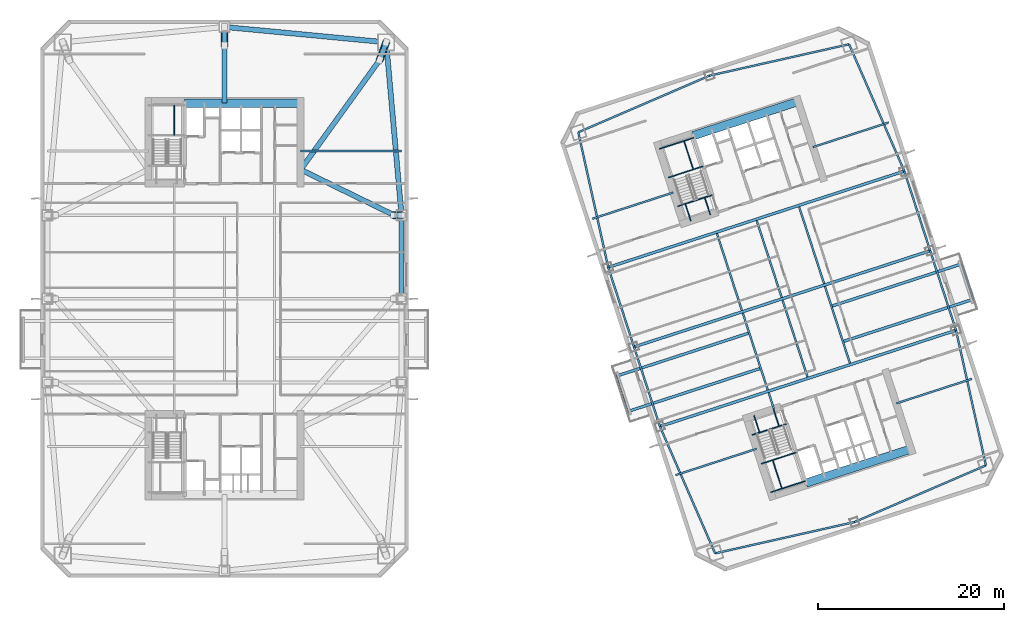
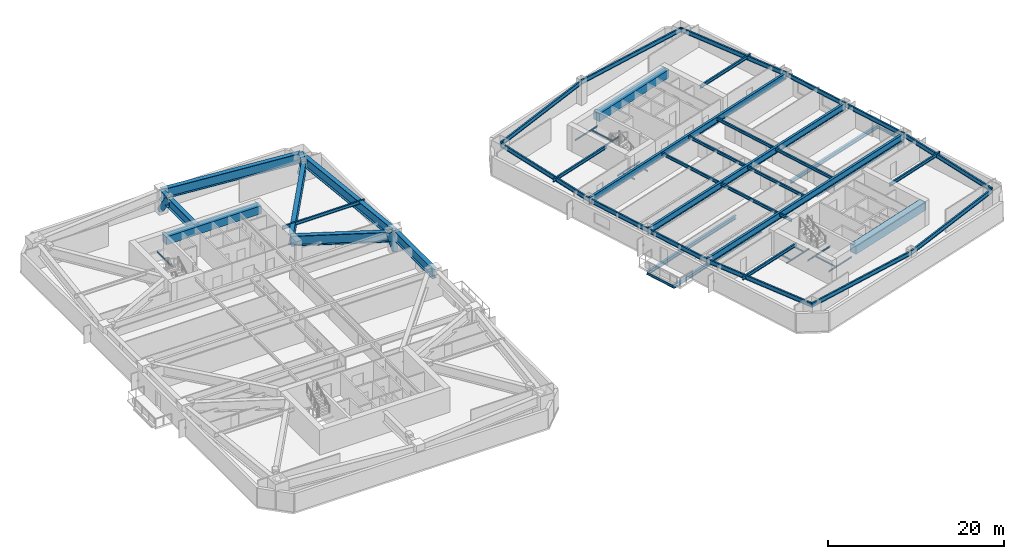
# One storey, part 4 of 19: 58 beams, 3 members.
"""IFC4 building model written with IfcOpenShell, lengths in metres."""

from ifc_helpers import new_model, si_unit, direction, frame, origin, origin_2d, place, context, subcontext, project, spatial, rectangle, hollow_circle, i_section, extrude, material, material_profile, profile_set, type_object, element, save


model = new_model("IFC4")

# Units and contexts
model_context = context("Model", 3, precision=1e-05, world=origin(), true_north=direction((0.0, 1.0)))
body_context = subcontext(model_context, "Body", "Model", "MODEL_VIEW")
ifc_project = project(units=[si_unit("LENGTHUNIT", "METRE"), si_unit("AREAUNIT", "SQUARE_METRE"), si_unit("VOLUMEUNIT", "CUBIC_METRE"), si_unit("PLANEANGLEUNIT", "RADIAN"), si_unit("MASSUNIT", "GRAM", prefix="KILO")], contexts=[model_context])

# Site, building, storey
site_placement = place(None, origin())
site = spatial("IfcSite", under=ifc_project, at=site_placement, CompositionType="ELEMENT")
building_placement = place(site_placement, origin())
building = spatial("IfcBuilding", under=site, at=building_placement, Name="Qiaolan Cultural Towers", CompositionType="ELEMENT")
storey_placement = place(building_placement, frame((0.0, 0.0, 88.550048828125)))
storey = spatial("IfcBuildingStorey", under=building, at=storey_placement, Name="L22", CompositionType="ELEMENT", Elevation=88.550048828125)

# Beams
ifc_material_1 = material(Name="Steel Q420GJB", Category="steel")
ifc_material_profile_1 = material_profile(ifc_material_1, i_section(OverallWidth=0.550048828125, OverallDepth=1.39990234375, WebThickness=0.031982421875, FlangeThickness=0.050048828125, at=origin_2d()), Name="BH1400x550x32x50")
ifc_profile_set_1 = profile_set([ifc_material_profile_1], Name="Steel Q420GJB")
beam_type_1 = type_object("IfcBeamType", Name="BM-BH1400x550x32x50", PredefinedType="BEAM", material=ifc_profile_set_1)
beam_1_placement = place(storey_placement, frame((47.39990234375, 61.60009765625, 2.469970703125), z_axis=(-0.342892389038, -0.939374690706, 0.0), x_axis=(0.939374690706, -0.342892389038, 0.0)))
element("IfcBeam", 1, at=beam_1_placement, inside=storey, type_object=beam_type_1, Name="L22 T1 Setback Transfer Girder MC-NE-A", PredefinedType="BEAM", context=body_context, shape_type="SweptSolid", body=[
    extrude(i_section(OverallWidth=0.550048828125, OverallDepth=1.39990234375, WebThickness=0.031982421875, FlangeThickness=0.050048828125, at=origin_2d()), origin(), (0.0, 0.0, 1.0), 2.01220703125),
])
beam_2_placement = place(storey_placement, frame((46.7099609375, 59.7099609375, 2.469970703125), z_axis=(-0.584610869257, -0.811313830491, 0.0), x_axis=(0.811313830491, -0.584610869257, 0.0)))
element("IfcBeam", 2, at=beam_2_placement, inside=storey, type_object=beam_type_1, Name="L22 T1 Setback Transfer Girder MC-NE-B", PredefinedType="BEAM", context=body_context, shape_type="SweptSolid", body=[
    extrude(i_section(OverallWidth=0.550048828125, OverallDepth=1.39990234375, WebThickness=0.031982421875, FlangeThickness=0.050048828125, at=origin_2d()), origin(), (0.0, 0.0, 1.0), 14.556640625),
])
beam_3_placement = place(storey_placement, frame((49.050048828125, 43.0, 2.469970703125), z_axis=(-1.0, 0.0, 0.0), x_axis=(0.0, -1.0, 0.0)))
element("IfcBeam", 3, at=beam_3_placement, inside=storey, type_object=beam_type_1, Name="L22 T1 Setback Transfer Girder PC-E3-A", PredefinedType="BEAM", context=body_context, shape_type="SweptSolid", body=[
    extrude(i_section(OverallWidth=0.550048828125, OverallDepth=1.39990234375, WebThickness=0.031982421875, FlangeThickness=0.050048828125, at=origin_2d()), origin(), (0.0, 0.0, 1.0), 0.800048828125),
])
beam_4_placement = place(storey_placement, frame((48.25, 43.0, 2.469970703125), z_axis=(-0.898858664648, 0.43823863475, 0.0), x_axis=(-0.43823863475, -0.898858664648, 0.0)))
element("IfcBeam", 4, at=beam_4_placement, inside=storey, type_object=beam_type_1, Name="L22 T1 Setback Transfer Girder PC-E3-B", PredefinedType="BEAM", context=body_context, shape_type="SweptSolid", body=[
    extrude(i_section(OverallWidth=0.550048828125, OverallDepth=1.39990234375, WebThickness=0.031982421875, FlangeThickness=0.050048828125, at=origin_2d()), origin(), (0.0, 0.0, 1.0), 11.180908203125),
])
beam_5_placement = place(storey_placement, frame((30.0, 63.25, 2.469970703125), z_axis=(0.0, -1.0, 0.0), x_axis=(1.0, 0.0, 0.0)))
element("IfcBeam", 5, at=beam_5_placement, inside=storey, type_object=beam_type_1, Name="L22 T1 Setback Transfer Girder PC-N0-A", PredefinedType="BEAM", context=body_context, shape_type="SweptSolid", body=[
    extrude(i_section(OverallWidth=0.550048828125, OverallDepth=1.39990234375, WebThickness=0.031982421875, FlangeThickness=0.050048828125, at=origin_2d()), origin(), (0.0, 0.0, 1.0), 2.0),
])
beam_6_placement = place(storey_placement, frame((30.0, 61.25, 2.469970703125), z_axis=(0.0, -1.0, 0.0), x_axis=(1.0, 0.0, 0.0)))
element("IfcBeam", 6, at=beam_6_placement, inside=storey, type_object=beam_type_1, Name="L22 T1 Setback Transfer Girder PC-N0-B", PredefinedType="BEAM", context=body_context, shape_type="SweptSolid", body=[
    extrude(i_section(OverallWidth=0.550048828125, OverallDepth=1.39990234375, WebThickness=0.031982421875, FlangeThickness=0.050048828125, at=origin_2d()), origin(), (0.0, 0.0, 1.0), 6.199951171875),
])
beam_7_placement = place(storey_placement, frame((49.050048828125, 34.0, 2.469970703125), z_axis=(0.0, 1.0, 0.0), x_axis=(-1.0, 0.0, 0.0)))
element("IfcBeam", 7, at=beam_7_placement, inside=storey, type_object=beam_type_1, Name="L22 T1 Perimeter Spandrel Beam 5", PredefinedType="BEAM", context=body_context, shape_type="SweptSolid", body=[
    extrude(i_section(OverallWidth=0.550048828125, OverallDepth=1.39990234375, WebThickness=0.031982421875, FlangeThickness=0.050048828125, at=origin_2d()), origin(), (0.0, 0.0, 1.0), 9.0),
])
beam_8_placement = place(storey_placement, frame((49.050048828125, 43.0, 2.469970703125), z_axis=(-0.08837000091, 0.996087718496, 0.0), x_axis=(-0.996087718496, -0.08837000091, 0.0)))
element("IfcBeam", 8, at=beam_8_placement, inside=storey, type_object=beam_type_1, Name="L22 T1 Perimeter Spandrel Beam 6", PredefinedType="BEAM", context=body_context, shape_type="SweptSolid", body=[
    extrude(i_section(OverallWidth=0.550048828125, OverallDepth=1.39990234375, WebThickness=0.031982421875, FlangeThickness=0.050048828125, at=origin_2d()), origin(), (0.0, 0.0, 1.0), 18.673095703125),
])
beam_9_placement = place(storey_placement, frame((47.39990234375, 61.60009765625, 2.469970703125), z_axis=(-0.995534437156, 0.094399070104, 0.0), x_axis=(-0.094399070104, -0.995534437156, 0.0)))
element("IfcBeam", 9, at=beam_9_placement, inside=storey, type_object=beam_type_1, Name="L22 T1 Perimeter Spandrel Beam 7", PredefinedType="BEAM", context=body_context, shape_type="SweptSolid", body=[
    extrude(i_section(OverallWidth=0.550048828125, OverallDepth=1.39990234375, WebThickness=0.031982421875, FlangeThickness=0.050048828125, at=origin_2d()), origin(), (0.0, 0.0, 1.0), 17.47802734375),
])
ifc_material_2 = material(Name="Steel Q355B", Category="steel")
ifc_material_profile_2 = material_profile(ifc_material_2, i_section(OverallWidth=0.300048828125, OverallDepth=0.488037109375, WebThickness=0.010986328125, FlangeThickness=0.01806640625, at=origin_2d()), Name="HM488x300x11x18")
ifc_profile_set_2 = profile_set([ifc_material_profile_2], Name="Steel Q355B")
beam_type_2 = type_object("IfcBeamType", Name="BM-HM488x300x11x18", PredefinedType="BEAM", material=ifc_profile_set_2)
for number, where, z_axis, x_axis, name in (
    (10, (87.697998046875, 26.522705078125, -0.524169921875), (-0.951058384903, -0.309011243331, 0.0), (0.309011243331, -0.951058384903, 0.0), "L22 T2 Tree Balcony Back-Spanned Bracket Beam"),
    (11, (86.4619140625, 30.326904296875, -0.524169921875), (-0.951058384903, -0.309011243331, 0.0), (0.309011243331, -0.951058384903, 0.0), "L22 T2 Tree Balcony Back-Spanned Bracket Beam"),
):
    element("IfcBeam", number, at=place(storey_placement, frame(where, z_axis=z_axis, x_axis=x_axis)), inside=storey, type_object=beam_type_2, Name=name, PredefinedType="BEAM", context=body_context, shape_type="SweptSolid", body=[
        extrude(i_section(OverallWidth=0.300048828125, OverallDepth=0.488037109375, WebThickness=0.010986328125, FlangeThickness=0.01806640625, at=origin_2d()), origin(), (0.0, 0.0, 1.0), 15.050048828125),
    ])
for number, where, z_axis, x_axis, name in (
    (12, (96.542724609375, 29.396484375, -0.524169921875), (0.951054379921, 0.309023569382, 0.0), (-0.309023569382, 0.951054379921, 0.0), "L22 T2 Tree Balcony Back-Spanned Bracket Beam"),
    (13, (95.306640625, 33.20068359375, -0.524169921875), (0.951054379921, 0.309023569382, 0.0), (-0.309023569382, 0.951054379921, 0.0), "L22 T2 Tree Balcony Back-Spanned Bracket Beam"),
):
    element("IfcBeam", number, at=place(storey_placement, frame(where, z_axis=z_axis, x_axis=x_axis)), inside=storey, type_object=beam_type_2, Name=name, PredefinedType="BEAM", context=body_context, shape_type="SweptSolid", body=[
        extrude(i_section(OverallWidth=0.300048828125, OverallDepth=0.488037109375, WebThickness=0.010986328125, FlangeThickness=0.01806640625, at=origin_2d()), origin(), (0.0, 0.0, 1.0), 14.75),
    ])
ifc_material_3 = material(Name="Steel Q355B", Category="steel")
ifc_material_profile_3 = material_profile(ifc_material_3, i_section(OverallWidth=0.300048828125, OverallDepth=0.89990234375, WebThickness=0.01611328125, FlangeThickness=0.028076171875, at=origin_2d()), Name="HN900x300x16x28")
ifc_profile_set_3 = profile_set([ifc_material_profile_3], Name="Steel Q355B")
beam_type_3 = type_object("IfcBeamType", Name="BM-HN900x300x16x28", PredefinedType="BEAM", material=ifc_profile_set_3)
for number, where, z_axis, x_axis, name in (
    (14, (76.85107421875, 20.264404296875, 2.719970703125), (0.951056559899, 0.309016860175, 0.0), (-0.309016860175, 0.951056559899, 0.0), "L22 T2 Primary Transverse Girder V1"),
    (15, (74.06982421875, 28.823974609375, 2.719970703125), (0.951056559899, 0.309016860175, 0.0), (-0.309016860175, 0.951056559899, 0.0), "L22 T2 Primary Transverse Girder V2"),
    (16, (71.28857421875, 37.383544921875, 2.719970703125), (0.951056559899, 0.309016860175, 0.0), (-0.309016860175, 0.951056559899, 0.0), "L22 T2 Primary Transverse Girder V3"),
):
    element("IfcBeam", number, at=place(storey_placement, frame(where, z_axis=z_axis, x_axis=x_axis)), inside=storey, type_object=beam_type_3, Name=name, PredefinedType="BEAM", context=body_context, shape_type="SweptSolid", body=[
        extrude(i_section(OverallWidth=0.300048828125, OverallDepth=0.89990234375, WebThickness=0.01611328125, FlangeThickness=0.028076171875, at=origin_2d()), origin(), (0.0, 0.0, 1.0), 33.5),
    ])
ifc_material_4 = material(Name="Steel Q355B", Category="steel")
ifc_material_profile_4 = material_profile(ifc_material_4, i_section(OverallWidth=0.175048828125, OverallDepth=0.35009765625, WebThickness=0.007080078125, FlangeThickness=0.010986328125, at=origin_2d()), Name="HN350x175x7x11")
ifc_profile_set_4 = profile_set([ifc_material_profile_4], Name="Steel Q355B")
beam_type_4 = type_object("IfcBeamType", Name="BM-JST-HN350x175x7x11", PredefinedType="JOIST", material=ifc_profile_set_4)
for number, where, z_axis, x_axis, name in (
    (17, (73.384521484375, 21.8720703125, -0.524169921875), (-0.309022586479, 0.951054699292, 0.0), (-0.951054699292, -0.309022586479, 0.0), "L22 T2 Tree Balcony Outer Edge Beam"),
    (18, (110.57080078125, 33.95458984375, -0.524169921875), (-0.309022586479, 0.951054699292, 0.0), (-0.951054699292, -0.309022586479, 0.0), "L22 T2 Tree Balcony Outer Edge Beam"),
):
    element("IfcBeam", number, at=place(storey_placement, frame(where, z_axis=z_axis, x_axis=x_axis)), inside=storey, type_object=beam_type_4, Name=name, PredefinedType="JOIST", context=body_context, shape_type="SweptSolid", body=[
        extrude(i_section(OverallWidth=0.175048828125, OverallDepth=0.35009765625, WebThickness=0.007080078125, FlangeThickness=0.010986328125, at=origin_2d()), origin(), (0.0, 0.0, 1.0), 4.0),
    ])
ifc_material_5 = material(Name="Steel Q355B", Category="steel")
ifc_material_profile_5 = material_profile(ifc_material_5, i_section(OverallWidth=0.199951171875, OverallDepth=0.39990234375, WebThickness=0.008056640625, FlangeThickness=0.012939453125, at=origin_2d()), Name="HN400x200x8x13")
ifc_profile_set_5 = profile_set([ifc_material_profile_5], Name="Steel Q355B")
beam_type_5 = type_object("IfcBeamType", Name="BM-JST-HN400x200x8x13", PredefinedType="JOIST", material=ifc_profile_set_5)
beam_10_placement = place(storey_placement, frame((89.119384765625, 22.147705078125, 2.969970703125), z_axis=(-0.308933885266, 0.951083516067, 0.0), x_axis=(-0.951083516067, -0.308933885266, 0.0)))
element("IfcBeam", 19, at=beam_10_placement, inside=storey, type_object=beam_type_5, Name="L22 T2 Secondary Floor Joist U1-1", PredefinedType="JOIST", context=body_context, shape_type="SweptSolid", body=[
    extrude(i_section(OverallWidth=0.199951171875, OverallDepth=0.39990234375, WebThickness=0.008056640625, FlangeThickness=0.012939453125, at=origin_2d()), origin(), (0.0, 0.0, 1.0), 1.85009765625),
])
for number, where, z_axis, x_axis, name in (
    (20, (88.455078125, 24.192626953125, 2.969970703125), (-0.309020714809, 0.951055307445, 0.0), (-0.951055307445, -0.309020714809, 0.0), "L22 T2 Secondary Floor Joist U1-2"),
    (21, (85.673828125, 32.752197265625, 2.969970703125), (-0.309020714809, 0.951055307445, 0.0), (-0.951055307445, -0.309020714809, 0.0), "L22 T2 Secondary Floor Joist U1-3"),
    (22, (92.73486328125, 25.583251953125, 2.969970703125), (-0.309020714809, 0.951055307445, 0.0), (-0.951055307445, -0.309020714809, 0.0), "L22 T2 Secondary Floor Joist U2-2"),
    (23, (89.95361328125, 34.142578125, 2.969970703125), (-0.309020714809, 0.951055307445, 0.0), (-0.951055307445, -0.309020714809, 0.0), "L22 T2 Secondary Floor Joist U2-3"),
    (24, (97.2998046875, 27.06640625, 2.969970703125), (-0.309020714809, 0.951055307445, 0.0), (-0.951055307445, -0.309020714809, 0.0), "L22 T2 Secondary Floor Joist U3-2"),
    (25, (94.518798828125, 35.6259765625, 2.969970703125), (-0.309020714809, 0.951055307445, 0.0), (-0.951055307445, -0.309020714809, 0.0), "L22 T2 Secondary Floor Joist U3-3"),
):
    element("IfcBeam", number, at=place(storey_placement, frame(where, z_axis=z_axis, x_axis=x_axis)), inside=storey, type_object=beam_type_5, Name=name, PredefinedType="JOIST", context=body_context, shape_type="SweptSolid", body=[
        extrude(i_section(OverallWidth=0.199951171875, OverallDepth=0.39990234375, WebThickness=0.008056640625, FlangeThickness=0.012939453125, at=origin_2d()), origin(), (0.0, 0.0, 1.0), 8.699951171875),
    ])
ifc_material_6 = material(Name="Steel Q355B", Category="steel")
ifc_material_profile_6 = material_profile(ifc_material_6, i_section(OverallWidth=0.199951171875, OverallDepth=0.449951171875, WebThickness=0.009033203125, FlangeThickness=0.013916015625, at=origin_2d()), Name="HN450x200x9x14")
ifc_profile_set_6 = profile_set([ifc_material_profile_6], Name="Steel Q355B")
beam_type_6 = type_object("IfcBeamType", Name="BM-LNT-HN450x200x9x14", PredefinedType="LINTEL", material=ifc_profile_set_6)
beam_11_placement = place(storey_placement, frame((38.199951171875, 49.89990234375, 2.945068359375), z_axis=(1.0, 0.0, 0.0), x_axis=(0.0, 1.0, 0.0)))
element("IfcBeam", 26, at=beam_11_placement, inside=storey, type_object=beam_type_6, Name="L22 T1 Core Flank Tie Lintel EN", PredefinedType="LINTEL", context=body_context, shape_type="SweptSolid", body=[
    extrude(i_section(OverallWidth=0.199951171875, OverallDepth=0.449951171875, WebThickness=0.009033203125, FlangeThickness=0.013916015625, at=origin_2d()), origin(), (0.0, 0.0, 1.0), 10.85009765625),
])
for number, where, z_axis, x_axis, name in (
    (27, (87.252685546875, 17.861083984375, 2.945068359375), (-0.951059948176, -0.309006431933, 0.0), (0.309006431933, -0.951059948176, 0.0), "L22 T2 Core Flank Tie Lintel WS"),
    (28, (78.291259765625, 45.44189453125, 2.945068359375), (-0.951052106475, -0.309030566076, 0.0), (0.309030566076, -0.951052106475, 0.0), "L22 T2 Core Flank Tie Lintel WN"),
):
    element("IfcBeam", number, at=place(storey_placement, frame(where, z_axis=z_axis, x_axis=x_axis)), inside=storey, type_object=beam_type_6, Name=name, PredefinedType="LINTEL", context=body_context, shape_type="SweptSolid", body=[
        extrude(i_section(OverallWidth=0.199951171875, OverallDepth=0.449951171875, WebThickness=0.009033203125, FlangeThickness=0.013916015625, at=origin_2d()), origin(), (0.0, 0.0, 1.0), 9.14990234375),
    ])
for number, where, z_axis, x_axis, name in (
    (29, (102.279296875, 22.74365234375, 2.945068359375), (0.951057358187, 0.309014403287, 0.0), (-0.309014403287, 0.951057358187, 0.0), "L22 T2 Core Flank Tie Lintel ES"),
    (30, (93.31787109375, 50.32421875, 2.945068359375), (0.951057358187, 0.309014403287, 0.0), (-0.309014403287, 0.951057358187, 0.0), "L22 T2 Core Flank Tie Lintel EN"),
):
    element("IfcBeam", number, at=place(storey_placement, frame(where, z_axis=z_axis, x_axis=x_axis)), inside=storey, type_object=beam_type_6, Name=name, PredefinedType="LINTEL", context=body_context, shape_type="SweptSolid", body=[
        extrude(i_section(OverallWidth=0.199951171875, OverallDepth=0.449951171875, WebThickness=0.009033203125, FlangeThickness=0.013916015625, at=origin_2d()), origin(), (0.0, 0.0, 1.0), 8.550048828125),
    ])
ifc_material_7 = material(Name="Concrete C50", Category="concrete")
ifc_material_profile_7 = material_profile(ifc_material_7, rectangle(XDim=0.89990234375, YDim=1.10009765625, at=origin_2d()), Name="RC900x1100")
ifc_profile_set_7 = profile_set([ifc_material_profile_7], Name="Concrete C50")
beam_type_7 = type_object("IfcBeamType", Name="BM-RC900x1100", PredefinedType="BEAM", material=ifc_profile_set_7)
beam_12_placement = place(storey_placement, frame((25.719970703125, 55.050048828125, 2.619873046875), z_axis=(1.0, 0.0, 0.0), x_axis=(0.0, 1.0, 0.0)))
element("IfcBeam", 31, at=beam_12_placement, inside=storey, type_object=beam_type_7, Name="L22 T1 Core Header Girder N", PredefinedType="BEAM", context=body_context, shape_type="SweptSolid", body=[
    extrude(rectangle(XDim=0.89990234375, YDim=1.10009765625, at=origin_2d()), origin(), (0.0, 0.0, 1.0), 12.47998046875),
])
for number, where, z_axis, x_axis, name in (
    (32, (92.572265625, 14.174560546875, 2.619873046875), (0.951056266386, 0.309017763514, 0.0), (-0.309017763514, 0.951056266386, 0.0), "L22 T2 Core Header Girder S"),
    (33, (80.427978515625, 51.551025390625, 2.619873046875), (0.951056266386, 0.309017763514, 0.0), (-0.309017763514, 0.951056266386, 0.0), "L22 T2 Core Header Girder N"),
):
    element("IfcBeam", number, at=place(storey_placement, frame(where, z_axis=z_axis, x_axis=x_axis)), inside=storey, type_object=beam_type_7, Name=name, PredefinedType="BEAM", context=body_context, shape_type="SweptSolid", body=[
        extrude(rectangle(XDim=0.89990234375, YDim=1.10009765625, at=origin_2d()), origin(), (0.0, 0.0, 1.0), 11.880126953125),
    ])
ifc_material_8 = material(Name="Steel Q355B", Category="steel")
ifc_material_profile_8 = material_profile(ifc_material_8, i_section(OverallWidth=0.199951171875, OverallDepth=0.60009765625, WebThickness=0.010986328125, FlangeThickness=0.01708984375, at=origin_2d()), Name="HN600x200x11x17")
ifc_profile_set_8 = profile_set([ifc_material_profile_8], Name="Steel Q355B")
beam_type_8 = type_object("IfcBeamType", Name="BM-SPD-HN600x200x11x17", PredefinedType="SPANDREL", material=ifc_profile_set_8)
beam_13_placement = place(storey_placement, frame((82.79052734375, 6.611572265625, 2.869873046875), z_axis=(0.975658154374, 0.219296980836, 0.0), x_axis=(-0.219296980836, 0.975658154374, 0.0)))
element("IfcBeam", 34, at=beam_13_placement, inside=storey, type_object=beam_type_8, Name="L22 T2 Perimeter Spandrel Beam 1", PredefinedType="SPANDREL", context=body_context, shape_type="SweptSolid", body=[
    extrude(i_section(OverallWidth=0.199951171875, OverallDepth=0.60009765625, WebThickness=0.010986328125, FlangeThickness=0.01708984375, at=origin_2d()), origin(), (0.0, 0.0, 1.0), 15.38671875),
])
beam_14_placement = place(storey_placement, frame((97.802734375, 9.98583984375, 2.869873046875), z_axis=(0.918217549337, 0.396076422032, 0.0), x_axis=(-0.396076422032, 0.918217549337, 0.0)))
element("IfcBeam", 35, at=beam_14_placement, inside=storey, type_object=beam_type_8, Name="L22 T2 Perimeter Spandrel Beam 2", PredefinedType="SPANDREL", context=body_context, shape_type="SweptSolid", body=[
    extrude(i_section(OverallWidth=0.199951171875, OverallDepth=0.60009765625, WebThickness=0.010986328125, FlangeThickness=0.01708984375, at=origin_2d()), origin(), (0.0, 0.0, 1.0), 15.386474609375),
])
beam_15_placement = place(storey_placement, frame((111.930908203125, 16.080078125, 2.869873046875), z_axis=(-0.216237644833, 0.976340760676, 0.0), x_axis=(-0.976340760676, -0.216237644833, 0.0)))
element("IfcBeam", 36, at=beam_15_placement, inside=storey, type_object=beam_type_8, Name="L22 T2 Perimeter Spandrel Beam 3", PredefinedType="SPANDREL", context=body_context, shape_type="SweptSolid", body=[
    extrude(i_section(OverallWidth=0.199951171875, OverallDepth=0.60009765625, WebThickness=0.010986328125, FlangeThickness=0.01708984375, at=origin_2d()), origin(), (0.0, 0.0, 1.0), 14.888671875),
])
for number, where, z_axis, x_axis, name in (
    (37, (108.71142578125, 30.616455078125, 2.869873046875), (-0.309024734286, 0.951054001411, 0.0), (-0.951054001411, -0.309024734286, 0.0), "L22 T2 Perimeter Spandrel Beam 4"),
    (38, (105.93017578125, 39.176025390625, 2.869873046875), (-0.309024734286, 0.951054001411, 0.0), (-0.951054001411, -0.309024734286, 0.0), "L22 T2 Perimeter Spandrel Beam 5"),
):
    element("IfcBeam", number, at=place(storey_placement, frame(where, z_axis=z_axis, x_axis=x_axis)), inside=storey, type_object=beam_type_8, Name=name, PredefinedType="SPANDREL", context=body_context, shape_type="SweptSolid", body=[
        extrude(i_section(OverallWidth=0.199951171875, OverallDepth=0.60009765625, WebThickness=0.010986328125, FlangeThickness=0.01708984375, at=origin_2d()), origin(), (0.0, 0.0, 1.0), 9.0),
    ])
beam_16_placement = place(storey_placement, frame((103.14892578125, 47.735595703125, 2.869873046875), z_axis=(-0.398920370799, 0.916985571185, 0.0), x_axis=(-0.916985571185, -0.398920370799, 0.0)))
element("IfcBeam", 39, at=beam_16_placement, inside=storey, type_object=beam_type_8, Name="L22 T2 Perimeter Spandrel Beam 6", PredefinedType="SPANDREL", context=body_context, shape_type="SweptSolid", body=[
    extrude(i_section(OverallWidth=0.199951171875, OverallDepth=0.60009765625, WebThickness=0.010986328125, FlangeThickness=0.01708984375, at=origin_2d()), origin(), (0.0, 0.0, 1.0), 14.888916015625),
])
beam_17_placement = place(storey_placement, frame((97.20947265625, 61.388427734375, 2.869873046875), z_axis=(-0.975658154374, -0.219296980836, 0.0), x_axis=(0.219296980836, -0.975658154374, 0.0)))
element("IfcBeam", 40, at=beam_17_placement, inside=storey, type_object=beam_type_8, Name="L22 T2 Perimeter Spandrel Beam 7", PredefinedType="SPANDREL", context=body_context, shape_type="SweptSolid", body=[
    extrude(i_section(OverallWidth=0.199951171875, OverallDepth=0.60009765625, WebThickness=0.010986328125, FlangeThickness=0.01708984375, at=origin_2d()), origin(), (0.0, 0.0, 1.0), 15.38671875),
])
beam_18_placement = place(storey_placement, frame((82.197265625, 58.01416015625, 2.869873046875), z_axis=(-0.918217549337, -0.396076422032, 0.0), x_axis=(0.396076422032, -0.918217549337, 0.0)))
element("IfcBeam", 41, at=beam_18_placement, inside=storey, type_object=beam_type_8, Name="L22 T2 Perimeter Spandrel Beam 8", PredefinedType="SPANDREL", context=body_context, shape_type="SweptSolid", body=[
    extrude(i_section(OverallWidth=0.199951171875, OverallDepth=0.60009765625, WebThickness=0.010986328125, FlangeThickness=0.01708984375, at=origin_2d()), origin(), (0.0, 0.0, 1.0), 15.386474609375),
])
beam_19_placement = place(storey_placement, frame((68.069091796875, 51.919921875, 2.869873046875), z_axis=(0.216237644833, -0.976340760676, 0.0), x_axis=(0.976340760676, 0.216237644833, 0.0)))
element("IfcBeam", 42, at=beam_19_placement, inside=storey, type_object=beam_type_8, Name="L22 T2 Perimeter Spandrel Beam 9", PredefinedType="SPANDREL", context=body_context, shape_type="SweptSolid", body=[
    extrude(i_section(OverallWidth=0.199951171875, OverallDepth=0.60009765625, WebThickness=0.010986328125, FlangeThickness=0.01708984375, at=origin_2d()), origin(), (0.0, 0.0, 1.0), 14.888671875),
])
for number, where, z_axis, x_axis, name in (
    (43, (71.28857421875, 37.383544921875, 2.869873046875), (0.309024734286, -0.951054001411, 0.0), (0.951054001411, 0.309024734286, 0.0), "L22 T2 Perimeter Spandrel Beam 10"),
    (44, (74.06982421875, 28.823974609375, 2.869873046875), (0.309024734286, -0.951054001411, 0.0), (0.951054001411, 0.309024734286, 0.0), "L22 T2 Perimeter Spandrel Beam 11"),
):
    element("IfcBeam", number, at=place(storey_placement, frame(where, z_axis=z_axis, x_axis=x_axis)), inside=storey, type_object=beam_type_8, Name=name, PredefinedType="SPANDREL", context=body_context, shape_type="SweptSolid", body=[
        extrude(i_section(OverallWidth=0.199951171875, OverallDepth=0.60009765625, WebThickness=0.010986328125, FlangeThickness=0.01708984375, at=origin_2d()), origin(), (0.0, 0.0, 1.0), 9.0),
    ])
beam_20_placement = place(storey_placement, frame((76.85107421875, 20.264404296875, 2.869873046875), z_axis=(0.398920370799, -0.916985571185, 0.0), x_axis=(0.916985571185, 0.398920370799, 0.0)))
element("IfcBeam", 45, at=beam_20_placement, inside=storey, type_object=beam_type_8, Name="L22 T2 Perimeter Spandrel Beam 12", PredefinedType="SPANDREL", context=body_context, shape_type="SweptSolid", body=[
    extrude(i_section(OverallWidth=0.199951171875, OverallDepth=0.60009765625, WebThickness=0.010986328125, FlangeThickness=0.01708984375, at=origin_2d()), origin(), (0.0, 0.0, 1.0), 14.888916015625),
])
ifc_material_9 = material(Name="Steel Q355B", Category="steel")
ifc_material_profile_9 = material_profile(ifc_material_9, i_section(OverallWidth=0.10009765625, OverallDepth=0.199951171875, WebThickness=0.005615234375, FlangeThickness=0.008056640625, at=origin_2d()), Name="HN200x100x5.5x8")
ifc_profile_set_9 = profile_set([ifc_material_profile_9], Name="Steel Q355B")
beam_type_9 = type_object("IfcBeamType", Name="BM-STTRIM-200", PredefinedType="BEAM", material=ifc_profile_set_9)
beam_21_placement = place(storey_placement, frame((24.610107421875, 51.588623046875, 1.425048828125), z_axis=(0.0, 1.0, 0.0), x_axis=(-1.0, 0.0, 0.0)))
element("IfcBeam", 46, at=beam_21_placement, inside=storey, type_object=beam_type_9, Name="L22 ST-W2 Stair Landing Trimmer 1", PredefinedType="BEAM", context=body_context, shape_type="SweptSolid", body=[
    extrude(i_section(OverallWidth=0.10009765625, OverallDepth=0.199951171875, WebThickness=0.005615234375, FlangeThickness=0.008056640625, at=origin_2d()), origin(), (0.0, 0.0, 1.0), 3.2314453125),
])
beam_22_placement = place(storey_placement, frame((86.770751953125, 19.3447265625, -0.4599609375), z_axis=(0.951047798727, 0.309043823005, 0.0), x_axis=(-0.309043823005, 0.951047798727, 0.0)))
element("IfcBeam", 47, at=beam_22_placement, inside=storey, type_object=beam_type_9, Name="L22 ST-E1 Floor Landing Header Beam", PredefinedType="BEAM", context=body_context, shape_type="SweptSolid", body=[
    extrude(i_section(OverallWidth=0.10009765625, OverallDepth=0.199951171875, WebThickness=0.005615234375, FlangeThickness=0.008056640625, at=origin_2d()), origin(), (0.0, 0.0, 1.0), 3.919921875),
])
for number, where, z_axis, x_axis, name in (
    (48, (86.9794921875, 21.452392578125, -0.4599609375), (0.309083226701, -0.951034993558, 0.0), (0.951034993558, 0.309083226701, 0.0), "L22 ST-E1 Floor Landing Stringer 1"),
    (49, (89.07177734375, 22.13232421875, -0.4599609375), (0.309083226701, -0.951034993558, 0.0), (0.951034993558, 0.309083226701, 0.0), "L22 ST-E1 Floor Landing Stringer 2"),
):
    element("IfcBeam", number, at=place(storey_placement, frame(where, z_axis=z_axis, x_axis=x_axis)), inside=storey, type_object=beam_type_9, Name=name, PredefinedType="BEAM", context=body_context, shape_type="SweptSolid", body=[
        extrude(i_section(OverallWidth=0.10009765625, OverallDepth=0.199951171875, WebThickness=0.005615234375, FlangeThickness=0.008056640625, at=origin_2d()), origin(), (0.0, 0.0, 1.0), 1.93994140625),
    ])
for number, where, z_axis, x_axis, name in (
    (50, (87.774658203125, 16.255126953125, 1.425048828125), (0.951047798727, 0.309043823005, 0.0), (-0.309043823005, 0.951047798727, 0.0), "L22 ST-E1 Stair Landing Support Beam 1-1"),
    (51, (88.773193359375, 13.181884765625, 1.425048828125), (0.951047798727, 0.309043823005, 0.0), (-0.309043823005, 0.951047798727, 0.0), "L22 ST-E1 Stair Landing Support Beam 1-2"),
):
    element("IfcBeam", number, at=place(storey_placement, frame(where, z_axis=z_axis, x_axis=x_axis)), inside=storey, type_object=beam_type_9, Name=name, PredefinedType="BEAM", context=body_context, shape_type="SweptSolid", body=[
        extrude(i_section(OverallWidth=0.10009765625, OverallDepth=0.199951171875, WebThickness=0.005615234375, FlangeThickness=0.008056640625, at=origin_2d()), origin(), (0.0, 0.0, 1.0), 3.919921875),
    ])
beam_23_placement = place(storey_placement, frame((88.982421875, 16.6474609375, 1.425048828125), z_axis=(0.309033108495, -0.951051280349, 0.0), x_axis=(0.951051280349, 0.309033108495, 0.0)))
element("IfcBeam", 52, at=beam_23_placement, inside=storey, type_object=beam_type_9, Name="L22 ST-E1 Stair Landing Trimmer 1", PredefinedType="BEAM", context=body_context, shape_type="SweptSolid", body=[
    extrude(i_section(OverallWidth=0.10009765625, OverallDepth=0.199951171875, WebThickness=0.005615234375, FlangeThickness=0.008056640625, at=origin_2d()), origin(), (0.0, 0.0, 1.0), 3.231201171875),
])
beam_24_placement = place(storey_placement, frame((78.773193359375, 43.958251953125, -0.4599609375), z_axis=(0.951072048947, 0.3089691857, 0.0), x_axis=(-0.3089691857, 0.951072048947, 0.0)))
element("IfcBeam", 53, at=beam_24_placement, inside=storey, type_object=beam_type_9, Name="L22 ST-E2 Floor Landing Header Beam", PredefinedType="BEAM", context=body_context, shape_type="SweptSolid", body=[
    extrude(i_section(OverallWidth=0.10009765625, OverallDepth=0.199951171875, WebThickness=0.005615234375, FlangeThickness=0.008056640625, at=origin_2d()), origin(), (0.0, 0.0, 1.0), 3.920166015625),
])
for number, where, z_axis, x_axis, name in (
    (54, (80.18115234375, 42.375732421875, -0.4599609375), (-0.308969394428, 0.951071981138, 0.0), (-0.951071981138, -0.308969394428, 0.0), "L22 ST-E2 Floor Landing Stringer 1"),
    (55, (82.2734375, 43.0556640625, -0.4599609375), (-0.308969394428, 0.951071981138, 0.0), (-0.951071981138, -0.308969394428, 0.0), "L22 ST-E2 Floor Landing Stringer 2"),
):
    element("IfcBeam", number, at=place(storey_placement, frame(where, z_axis=z_axis, x_axis=x_axis)), inside=storey, type_object=beam_type_9, Name=name, PredefinedType="BEAM", context=body_context, shape_type="SweptSolid", body=[
        extrude(i_section(OverallWidth=0.10009765625, OverallDepth=0.199951171875, WebThickness=0.005615234375, FlangeThickness=0.008056640625, at=origin_2d()), origin(), (0.0, 0.0, 1.0), 1.93994140625),
    ])
for number, where, z_axis, x_axis, name in (
    (56, (77.769287109375, 47.0478515625, 1.425048828125), (0.951053746643, 0.309025518358, 0.0), (-0.309025518358, 0.951053746643, 0.0), "L22 ST-E2 Stair Landing Support Beam 1-1"),
    (57, (76.770751953125, 50.12109375, 1.425048828125), (0.951072048947, 0.3089691857, 0.0), (-0.3089691857, 0.951072048947, 0.0), "L22 ST-E2 Stair Landing Support Beam 1-2"),
):
    element("IfcBeam", number, at=place(storey_placement, frame(where, z_axis=z_axis, x_axis=x_axis)), inside=storey, type_object=beam_type_9, Name=name, PredefinedType="BEAM", context=body_context, shape_type="SweptSolid", body=[
        extrude(i_section(OverallWidth=0.10009765625, OverallDepth=0.199951171875, WebThickness=0.005615234375, FlangeThickness=0.008056640625, at=origin_2d()), origin(), (0.0, 0.0, 1.0), 3.920166015625),
    ])
beam_25_placement = place(storey_placement, frame((80.44189453125, 47.916259765625, 1.425048828125), z_axis=(-0.309033108495, 0.951051280349, 0.0), x_axis=(-0.951051280349, -0.309033108495, 0.0)))
element("IfcBeam", 58, at=beam_25_placement, inside=storey, type_object=beam_type_9, Name="L22 ST-E2 Stair Landing Trimmer 1", PredefinedType="BEAM", context=body_context, shape_type="SweptSolid", body=[
    extrude(i_section(OverallWidth=0.10009765625, OverallDepth=0.199951171875, WebThickness=0.005615234375, FlangeThickness=0.008056640625, at=origin_2d()), origin(), (0.0, 0.0, 1.0), 3.231201171875),
])

# Members
ifc_material_10 = material(Name="Steel Q390GJB", Category="steel")
ifc_material_profile_10 = material_profile(ifc_material_10, hollow_circle(Radius=0.39990234375, WallThickness=0.0400390625, at=origin_2d()), Name="CHS800x40")
ifc_profile_set_10 = profile_set([ifc_material_profile_10], Name="Steel Q390GJB")
member_type = type_object("IfcMemberType", Name="MBR-BRC-CHS800x40", PredefinedType="BRACE", material=ifc_profile_set_10)
member_1_placement = place(storey_placement, frame((47.39990234375, 61.60009765625, 0.300048828125), z_axis=(-0.196846653485, -0.539273457635, 0.818801278029), x_axis=(0.939374690706, -0.342892389038, 0.0)))
element("IfcMember", 59, at=member_1_placement, inside=storey, type_object=member_type, Name="L22 T1 Setback Transfer Raker Strut MC-NE", PredefinedType="BRACE", context=body_context, shape_type="SweptSolid", body=[
    extrude(hollow_circle(Radius=0.39990234375, WallThickness=0.0400390625, at=origin_2d()), origin(), (0.0, 0.0, 1.0), 3.5048828125),
])
member_2_placement = place(storey_placement, frame((49.050048828125, 43.0, 0.300048828125), z_axis=(-0.268535523213, 0.0, 0.963269781926), x_axis=(0.0, -1.0, 0.0)))
element("IfcMember", 60, at=member_2_placement, inside=storey, type_object=member_type, Name="L22 T1 Setback Transfer Raker Strut PC-E3", PredefinedType="BRACE", context=body_context, shape_type="SweptSolid", body=[
    extrude(hollow_circle(Radius=0.39990234375, WallThickness=0.0400390625, at=origin_2d()), origin(), (0.0, 0.0, 1.0), 2.979248046875),
])
member_3_placement = place(storey_placement, frame((30.0, 63.25, 0.300048828125), z_axis=(0.0, -0.571751379918, 0.82042693737), x_axis=(1.0, 0.0, 0.0)))
element("IfcMember", 61, at=member_3_placement, inside=storey, type_object=member_type, Name="L22 T1 Setback Transfer Raker Strut PC-N0", PredefinedType="BRACE", context=body_context, shape_type="SweptSolid", body=[
    extrude(hollow_circle(Radius=0.39990234375, WallThickness=0.0400390625, at=origin_2d()), origin(), (0.0, 0.0, 1.0), 3.498046875),
])

save(model, "model.ifc")
